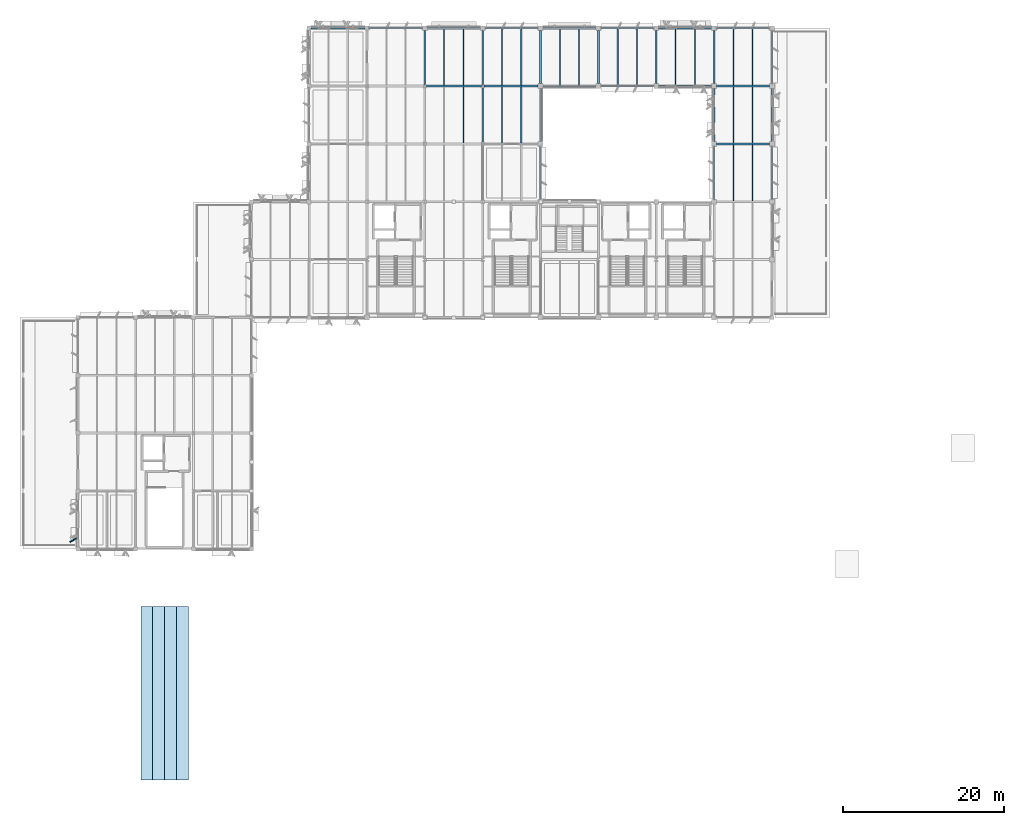
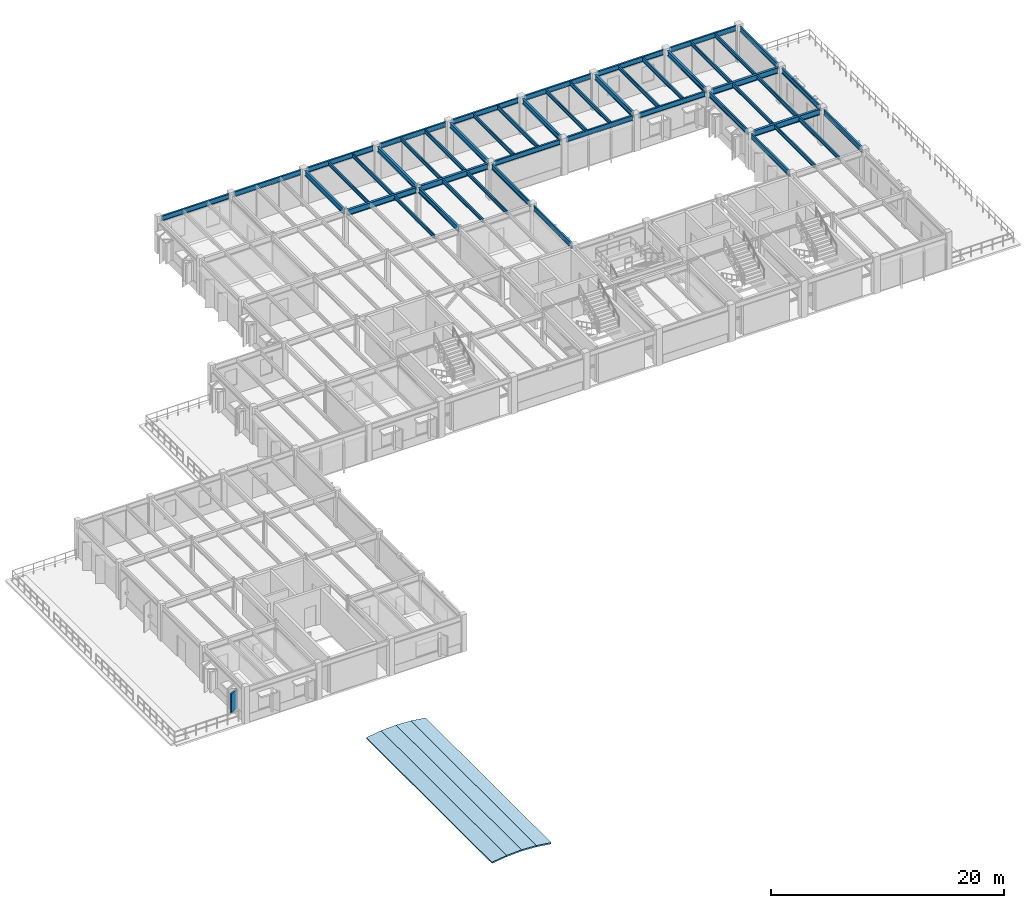
# One storey, part 7 of 35: 48 beams, 4 slabs, 1 plate.
"""IFC4 building model written with IfcOpenShell, lengths in metres."""

from ifc_helpers import new_model, si_unit, direction, frame, origin, origin_2d, place, context, subcontext, project, spatial, polyline, rectangle, i_section, outline, extrude, material, layer, layer_set, material_profile, profile_set, type_object, element, save


model = new_model("IFC4")

# Units and contexts
model_context = context("Model", 3, precision=1e-05, world=origin(), true_north=direction((0.0, 1.0)))
body_context = subcontext(model_context, "Body", "Model", "MODEL_VIEW")
ifc_project = project(units=[si_unit("LENGTHUNIT", "METRE"), si_unit("AREAUNIT", "SQUARE_METRE"), si_unit("VOLUMEUNIT", "CUBIC_METRE"), si_unit("PLANEANGLEUNIT", "RADIAN"), si_unit("MASSUNIT", "GRAM", prefix="KILO")], contexts=[model_context])

# Site, building, storey
site_placement = place(None, origin())
site = spatial("IfcSite", under=ifc_project, at=site_placement, CompositionType="ELEMENT")
building_placement = place(site_placement, origin())
building = spatial("IfcBuilding", under=site, at=building_placement, Name="Sillqori Civic Hall", CompositionType="ELEMENT")
storey_placement = place(building_placement, frame((0.0, 0.0, 18.0)))
storey = spatial("IfcBuildingStorey", under=building, at=storey_placement, Name="L05", CompositionType="ELEMENT", Elevation=18.0)

# Beams
ifc_material_1 = material(Name="Steel ASTM A992", Category="steel")
ifc_material_profile_1 = material_profile(ifc_material_1, i_section(OverallWidth=0.2099609375, OverallDepth=0.532958984375, WebThickness=0.01025390625, FlangeThickness=0.015625, FilletRadius=0.013916015625, at=origin_2d()), Name="W21X62")
ifc_profile_set_1 = profile_set([ifc_material_profile_1], Name="Steel ASTM A992")
beam_type_1 = type_object("IfcBeamType", Name="BM-W21X62", PredefinedType="BEAM", material=ifc_profile_set_1)
beam_1_placement = place(storey_placement, frame((57.60009765625, 108.177978515625, 3.45361328125), z_axis=(0.0, 1.0, 0.0), x_axis=(-1.0, 0.0, 0.0)))
element("IfcBeam", 1, at=beam_1_placement, inside=storey, type_object=beam_type_1, Name="L05 girder Y 8-15", PredefinedType="BEAM", context=body_context, shape_type="SweptSolid", body=[
    extrude(i_section(OverallWidth=0.2099609375, OverallDepth=0.532958984375, WebThickness=0.01025390625, FlangeThickness=0.015625, FilletRadius=0.013916015625, at=origin_2d()), origin(), (0.0, 0.0, 1.0), 6.72802734375),
])
beam_2_placement = place(storey_placement, frame((64.800048828125, 100.97802734375, 3.45361328125), z_axis=(0.0, 1.0, 0.0), x_axis=(-1.0, 0.0, 0.0)))
element("IfcBeam", 2, at=beam_2_placement, inside=storey, type_object=beam_type_1, Name="L05 girder Y 9-14", PredefinedType="BEAM", context=body_context, shape_type="SweptSolid", body=[
    extrude(i_section(OverallWidth=0.2099609375, OverallDepth=0.532958984375, WebThickness=0.01025390625, FlangeThickness=0.015625, FilletRadius=0.013916015625, at=origin_2d()), origin(), (0.0, 0.0, 1.0), 6.843994140625),
])
beam_3_placement = place(storey_placement, frame((64.800048828125, 108.177978515625, 3.45361328125), z_axis=(0.0, 1.0, 0.0), x_axis=(-1.0, 0.0, 0.0)))
element("IfcBeam", 3, at=beam_3_placement, inside=storey, type_object=beam_type_1, Name="L05 girder Y 9-15", PredefinedType="BEAM", context=body_context, shape_type="SweptSolid", body=[
    extrude(i_section(OverallWidth=0.2099609375, OverallDepth=0.532958984375, WebThickness=0.01025390625, FlangeThickness=0.015625, FilletRadius=0.013916015625, at=origin_2d()), origin(), (0.0, 0.0, 1.0), 6.72802734375),
])
for number, where, z_axis, x_axis, name in (
    (4, (72.0, 108.2939453125, 3.45361328125), (0.0, 1.0, 0.0), (-1.0, 0.0, 0.0), "L05 girder Y 10-15"),
    (5, (79.199951171875, 108.2939453125, 3.45361328125), (0.0, 1.0, 0.0), (-1.0, 0.0, 0.0), "L05 girder Y 11-15"),
    (6, (86.39990234375, 108.2939453125, 3.45361328125), (0.0, 1.0, 0.0), (-1.0, 0.0, 0.0), "L05 girder Y 12-15"),
    (7, (93.60009765625, 108.2939453125, 3.45361328125), (0.0, 1.0, 0.0), (-1.0, 0.0, 0.0), "L05 girder Y 13-15"),
):
    element("IfcBeam", number, at=place(storey_placement, frame(where, z_axis=z_axis, x_axis=x_axis)), inside=storey, type_object=beam_type_1, Name=name, PredefinedType="BEAM", context=body_context, shape_type="SweptSolid", body=[
        extrude(i_section(OverallWidth=0.2099609375, OverallDepth=0.532958984375, WebThickness=0.01025390625, FlangeThickness=0.015625, FilletRadius=0.013916015625, at=origin_2d()), origin(), (0.0, 0.0, 1.0), 6.612060546875),
    ])
ifc_material_profile_2 = material_profile(ifc_material_1, i_section(OverallWidth=0.22802734375, OverallDepth=0.60205078125, WebThickness=0.010498046875, FlangeThickness=0.014892578125, FilletRadius=0.014892578125, at=origin_2d()), Name="W24X68")
ifc_profile_set_2 = profile_set([ifc_material_profile_2], Name="Steel ASTM A992")
beam_type_2 = type_object("IfcBeamType", Name="BM-W24X68", PredefinedType="BEAM", material=ifc_profile_set_2)
beam_4_placement = place(storey_placement, frame((57.780517578125, 108.0, 3.4189453125), z_axis=(1.0, 0.0, 0.0), x_axis=(0.0, 1.0, 0.0)))
element("IfcBeam", 8, at=beam_4_placement, inside=storey, type_object=beam_type_2, Name="L05 girder X 8-15", PredefinedType="BEAM", context=body_context, shape_type="SweptSolid", body=[
    extrude(i_section(OverallWidth=0.22802734375, OverallDepth=0.60205078125, WebThickness=0.010498046875, FlangeThickness=0.014892578125, FilletRadius=0.014892578125, at=origin_2d()), origin(), (0.0, 0.0, 1.0), 6.8388671875),
])
beam_5_placement = place(storey_placement, frame((64.98046875, 108.0, 3.4189453125), z_axis=(1.0, 0.0, 0.0), x_axis=(0.0, 1.0, 0.0)))
element("IfcBeam", 9, at=beam_5_placement, inside=storey, type_object=beam_type_2, Name="L05 girder X 9-15", PredefinedType="BEAM", context=body_context, shape_type="SweptSolid", body=[
    extrude(i_section(OverallWidth=0.22802734375, OverallDepth=0.60205078125, WebThickness=0.010498046875, FlangeThickness=0.014892578125, FilletRadius=0.014892578125, at=origin_2d()), origin(), (0.0, 0.0, 1.0), 6.7255859375),
])
for number, where, z_axis, x_axis, name in (
    (10, (93.89404296875, 100.800048828125, 3.4189453125), (1.0, 0.0, 0.0), (0.0, 1.0, 0.0), "L05 girder X 13-14"),
    (11, (93.89404296875, 108.0, 3.4189453125), (1.0, 0.0, 0.0), (0.0, 1.0, 0.0), "L05 girder X 13-15"),
):
    element("IfcBeam", number, at=place(storey_placement, frame(where, z_axis=z_axis, x_axis=x_axis)), inside=storey, type_object=beam_type_2, Name=name, PredefinedType="BEAM", context=body_context, shape_type="SweptSolid", body=[
        extrude(i_section(OverallWidth=0.22802734375, OverallDepth=0.60205078125, WebThickness=0.010498046875, FlangeThickness=0.014892578125, FilletRadius=0.014892578125, at=origin_2d()), origin(), (0.0, 0.0, 1.0), 6.612060546875),
    ])
ifc_material_profile_3 = material_profile(ifc_material_1, i_section(OverallWidth=0.139892578125, OverallDepth=0.39892578125, WebThickness=0.00634765625, FlangeThickness=0.0087890625, FilletRadius=0.011962890625, at=origin_2d()), Name="W16X26")
ifc_profile_set_3 = profile_set([ifc_material_profile_3], Name="Steel ASTM A992")
beam_type_3 = type_object("IfcBeamType", Name="JS-W16X26", PredefinedType="JOIST", material=ifc_profile_set_3)
for number, where, z_axis, x_axis, name in (
    (12, (62.39990234375, 100.89501953125, 3.5205078125), (0.0, 1.0, 0.0), (-1.0, 0.0, 0.0), "L05 composite joist 8-14.2"),
    (13, (60.0, 108.094970703125, 3.5205078125), (0.0, 1.0, 0.0), (-1.0, 0.0, 0.0), "L05 composite joist 8-15.1"),
    (14, (62.39990234375, 108.094970703125, 3.5205078125), (0.0, 1.0, 0.0), (-1.0, 0.0, 0.0), "L05 composite joist 8-15.2"),
    (15, (67.199951171875, 100.89501953125, 3.5205078125), (0.0, 1.0, 0.0), (-1.0, 0.0, 0.0), "L05 composite joist 9-14.1"),
    (16, (69.60009765625, 100.89501953125, 3.5205078125), (0.0, 1.0, 0.0), (-1.0, 0.0, 0.0), "L05 composite joist 9-14.2"),
    (17, (67.199951171875, 108.094970703125, 3.5205078125), (0.0, 1.0, 0.0), (-1.0, 0.0, 0.0), "L05 composite joist 9-15.1"),
    (18, (69.60009765625, 108.094970703125, 3.5205078125), (0.0, 1.0, 0.0), (-1.0, 0.0, 0.0), "L05 composite joist 9-15.2"),
    (19, (74.39990234375, 108.094970703125, 3.5205078125), (0.0, 1.0, 0.0), (-1.0, 0.0, 0.0), "L05 composite joist 10-15.1"),
    (20, (76.800048828125, 108.094970703125, 3.5205078125), (0.0, 1.0, 0.0), (-1.0, 0.0, 0.0), "L05 composite joist 10-15.2"),
    (21, (81.60009765625, 108.094970703125, 3.5205078125), (0.0, 1.0, 0.0), (-1.0, 0.0, 0.0), "L05 composite joist 11-15.1"),
    (22, (84.0, 108.094970703125, 3.5205078125), (0.0, 1.0, 0.0), (-1.0, 0.0, 0.0), "L05 composite joist 11-15.2"),
    (23, (88.800048828125, 108.094970703125, 3.5205078125), (0.0, 1.0, 0.0), (-1.0, 0.0, 0.0), "L05 composite joist 12-15.1"),
    (24, (91.199951171875, 108.094970703125, 3.5205078125), (0.0, 1.0, 0.0), (-1.0, 0.0, 0.0), "L05 composite joist 12-15.2"),
    (25, (96.0, 93.695068359375, 3.5205078125), (0.0, 1.0, 0.0), (-1.0, 0.0, 0.0), "L05 composite joist 13-13.1"),
    (26, (98.39990234375, 93.695068359375, 3.5205078125), (0.0, 1.0, 0.0), (-1.0, 0.0, 0.0), "L05 composite joist 13-13.2"),
    (27, (96.0, 100.89501953125, 3.5205078125), (0.0, 1.0, 0.0), (-1.0, 0.0, 0.0), "L05 composite joist 13-14.1"),
    (28, (98.39990234375, 100.89501953125, 3.5205078125), (0.0, 1.0, 0.0), (-1.0, 0.0, 0.0), "L05 composite joist 13-14.2"),
    (29, (96.0, 108.094970703125, 3.5205078125), (0.0, 1.0, 0.0), (-1.0, 0.0, 0.0), "L05 composite joist 13-15.1"),
    (30, (98.39990234375, 108.094970703125, 3.5205078125), (0.0, 1.0, 0.0), (-1.0, 0.0, 0.0), "L05 composite joist 13-15.2"),
):
    element("IfcBeam", number, at=place(storey_placement, frame(where, z_axis=z_axis, x_axis=x_axis)), inside=storey, type_object=beam_type_3, Name=name, PredefinedType="JOIST", context=body_context, shape_type="SweptSolid", body=[
        extrude(i_section(OverallWidth=0.139892578125, OverallDepth=0.39892578125, WebThickness=0.00634765625, FlangeThickness=0.0087890625, FilletRadius=0.011962890625, at=origin_2d()), origin(), (0.0, 0.0, 1.0), 7.010009765625),
    ])
ifc_material_profile_4 = material_profile(ifc_material_1, i_section(OverallWidth=0.166015625, OverallDepth=0.528076171875, WebThickness=0.009765625, FlangeThickness=0.013671875, FilletRadius=0.013916015625, at=origin_2d()), Name="W21X50")
ifc_profile_set_4 = profile_set([ifc_material_profile_4], Name="Steel ASTM A992")
beam_type_4 = type_object("IfcBeamType", Name="SP-W21X50", PredefinedType="SPANDREL", material=ifc_profile_set_4)
beam_6_placement = place(storey_placement, frame((43.444091796875, 115.199951171875, 3.43603515625), z_axis=(1.0, 0.0, 0.0), x_axis=(0.0, 1.0, 0.0)))
element("IfcBeam", 31, at=beam_6_placement, inside=storey, type_object=beam_type_4, Name="L05 girder X 6-16", PredefinedType="SPANDREL", context=body_context, shape_type="SweptSolid", body=[
    extrude(i_section(OverallWidth=0.166015625, OverallDepth=0.528076171875, WebThickness=0.009765625, FlangeThickness=0.013671875, FilletRadius=0.013916015625, at=origin_2d()), origin(), (0.0, 0.0, 1.0), 6.7119140625),
])
beam_7_placement = place(storey_placement, frame((50.64404296875, 115.199951171875, 3.4560546875), z_axis=(1.0, 0.0, 0.0), x_axis=(0.0, 1.0, 0.0)))
element("IfcBeam", 32, at=beam_7_placement, inside=storey, type_object=beam_type_4, Name="L05 girder X 7-16", PredefinedType="SPANDREL", context=body_context, shape_type="SweptSolid", body=[
    extrude(i_section(OverallWidth=0.166015625, OverallDepth=0.528076171875, WebThickness=0.009765625, FlangeThickness=0.013671875, FilletRadius=0.013916015625, at=origin_2d()), origin(), (0.0, 0.0, 1.0), 6.661865234375),
])
for number, where, z_axis, x_axis, name in (
    (33, (57.89404296875, 115.199951171875, 3.4560546875), (1.0, 0.0, 0.0), (0.0, 1.0, 0.0), "L05 girder X 8-16"),
    (34, (65.093994140625, 115.199951171875, 3.4560546875), (1.0, 0.0, 0.0), (0.0, 1.0, 0.0), "L05 girder X 9-16"),
    (35, (72.2939453125, 108.0, 3.4560546875), (1.0, 0.0, 0.0), (0.0, 1.0, 0.0), "L05 girder X 10-15"),
    (36, (72.2939453125, 115.199951171875, 3.4560546875), (1.0, 0.0, 0.0), (0.0, 1.0, 0.0), "L05 girder X 10-16"),
    (37, (79.493896484375, 108.0, 3.4560546875), (1.0, 0.0, 0.0), (0.0, 1.0, 0.0), "L05 girder X 11-15"),
    (38, (79.493896484375, 115.199951171875, 3.4560546875), (1.0, 0.0, 0.0), (0.0, 1.0, 0.0), "L05 girder X 11-16"),
):
    element("IfcBeam", number, at=place(storey_placement, frame(where, z_axis=z_axis, x_axis=x_axis)), inside=storey, type_object=beam_type_4, Name=name, PredefinedType="SPANDREL", context=body_context, shape_type="SweptSolid", body=[
        extrude(i_section(OverallWidth=0.166015625, OverallDepth=0.528076171875, WebThickness=0.009765625, FlangeThickness=0.013671875, FilletRadius=0.013916015625, at=origin_2d()), origin(), (0.0, 0.0, 1.0), 6.612060546875),
    ])
for number, where, z_axis, x_axis, name in (
    (39, (86.694091796875, 108.0, 3.4560546875), (1.0, 0.0, 0.0), (0.0, 1.0, 0.0), "L05 girder X 12-15"),
    (40, (86.694091796875, 115.199951171875, 3.4560546875), (1.0, 0.0, 0.0), (0.0, 1.0, 0.0), "L05 girder X 12-16"),
):
    element("IfcBeam", number, at=place(storey_placement, frame(where, z_axis=z_axis, x_axis=x_axis)), inside=storey, type_object=beam_type_4, Name=name, PredefinedType="SPANDREL", context=body_context, shape_type="SweptSolid", body=[
        extrude(i_section(OverallWidth=0.166015625, OverallDepth=0.528076171875, WebThickness=0.009765625, FlangeThickness=0.013671875, FilletRadius=0.013916015625, at=origin_2d()), origin(), (0.0, 0.0, 1.0), 6.61181640625),
    ])
for number, where, z_axis, x_axis, name in (
    (41, (93.89404296875, 115.199951171875, 3.4560546875), (1.0, 0.0, 0.0), (0.0, 1.0, 0.0), "L05 girder X 13-16"),
    (42, (72.0, 93.89404296875, 3.4560546875), (0.0, 1.0, 0.0), (-1.0, 0.0, 0.0), "L05 girder Y 10-13"),
    (43, (72.0, 101.093994140625, 3.4560546875), (0.0, 1.0, 0.0), (-1.0, 0.0, 0.0), "L05 girder Y 10-14"),
    (44, (93.60009765625, 93.89404296875, 3.4560546875), (0.0, 1.0, 0.0), (-1.0, 0.0, 0.0), "L05 girder Y 13-13"),
    (45, (93.60009765625, 101.093994140625, 3.4560546875), (0.0, 1.0, 0.0), (-1.0, 0.0, 0.0), "L05 girder Y 13-14"),
    (46, (100.800048828125, 93.89404296875, 3.4560546875), (0.0, 1.0, 0.0), (-1.0, 0.0, 0.0), "L05 girder Y 14-13"),
    (47, (100.800048828125, 101.093994140625, 3.4560546875), (0.0, 1.0, 0.0), (-1.0, 0.0, 0.0), "L05 girder Y 14-14"),
    (48, (100.800048828125, 108.2939453125, 3.4560546875), (0.0, 1.0, 0.0), (-1.0, 0.0, 0.0), "L05 girder Y 14-15"),
):
    element("IfcBeam", number, at=place(storey_placement, frame(where, z_axis=z_axis, x_axis=x_axis)), inside=storey, type_object=beam_type_4, Name=name, PredefinedType="SPANDREL", context=body_context, shape_type="SweptSolid", body=[
        extrude(i_section(OverallWidth=0.166015625, OverallDepth=0.528076171875, WebThickness=0.009765625, FlangeThickness=0.013671875, FilletRadius=0.013916015625, at=origin_2d()), origin(), (0.0, 0.0, 1.0), 6.612060546875),
    ])

# Plate
ifc_material_2 = material(Name="Precast concrete C40/50 (H40)", Category="concrete")
ifc_layer_1 = layer(ifc_material_2, 0.159912109375)
ifc_layer_set_1 = layer_set([ifc_layer_1], Name="Precast concrete C40/50 (H40)")
plate_type = type_object("IfcPlateType", Name="REV-SAW-200", PredefinedType="USERDEFINED", material=ifc_layer_set_1)
plate_placement = place(storey_placement, frame((13.860107421875, 51.498046875, 0.800048828125), z_axis=(0.0, 0.0, 1.0), x_axis=(-0.5, 0.866025403784, 0.0)))
element("IfcPlate", 49, at=plate_placement, inside=storey, type_object=plate_type, Name="Sawtooth stone window reveal L05-02-07-W.1", ObjectType="REVEAL_PANEL", PredefinedType="USERDEFINED", context=body_context, shape_type="SweptSolid", body=[
    extrude(rectangle(XDim=0.159912109375, YDim=0.97998046875, at=origin_2d()), origin(), (0.0, 0.0, 1.0), 2.0),
])

# Slabs
ifc_material_3 = material(Name="Concrete C35/45 (H35)", Category="concrete")
ifc_layer_2 = layer(ifc_material_3, 0.139892578125)
ifc_layer_set_2 = layer_set([ifc_layer_2], Name="Concrete C35/45 (H35)")
slab_type = type_object("IfcSlabType", Name="SLB-VAULT-140", PredefinedType="ROOF", material=ifc_layer_set_2)
slab_1_placement = place(storey_placement, frame((22.25244140625, 21.60009765625, 0.02587890625), z_axis=(-0.138722173744, 0.0, 0.990331337741), x_axis=(0.990331337741, 0.0, 0.138722173744)))
element("IfcSlab", 50, at=slab_1_placement, inside=storey, type_object=slab_type, Name="Council Chamber barrel-vault shell chord 07", PredefinedType="ROOF", context=body_context, shape_type="SweptSolid", body=[
    extrude(outline(polyline([(0.0, 0.0), (1.481856870471967, 0.0), (1.481856870471967, 21.599853515625), (0.0, 21.599853515625), (0.0, 0.0)])), origin(), (0.0, 0.0, -1.0), 0.139892578125),
])
slab_2_placement = place(storey_placement, frame((23.719970703125, 21.60009765625, 0.2314453125), z_axis=(-0.04630461726, 0.0, 0.998927365938), x_axis=(0.998927365938, 0.0, 0.04630461726)))
element("IfcSlab", 51, at=slab_2_placement, inside=storey, type_object=slab_type, Name="Council Chamber barrel-vault shell chord 08", PredefinedType="ROOF", context=body_context, shape_type="SweptSolid", body=[
    extrude(outline(polyline([(0.0, 0.0), (1.4815696508222553, 0.0), (1.4815696508222553, 21.599853515625), (0.0, 21.599853515625), (0.0, 0.0)])), origin(), (0.0, 0.0, -1.0), 0.139892578125),
])
slab_3_placement = place(storey_placement, frame((25.199951171875, 21.60009765625, 0.300048828125), z_axis=(0.046296996386, 0.0, 0.99892771917), x_axis=(0.99892771917, 0.0, -0.046296996386)))
element("IfcSlab", 52, at=slab_3_placement, inside=storey, type_object=slab_type, Name="Council Chamber barrel-vault shell chord 09", PredefinedType="ROOF", context=body_context, shape_type="SweptSolid", body=[
    extrude(outline(polyline([(0.0, 0.0), (1.4818135296168278, 0.0), (1.4818135296168278, 21.599853515625), (0.0, 21.599853515625), (0.0, 0.0)])), origin(), (0.0, 0.0, -1.0), 0.139892578125),
])
slab_4_placement = place(storey_placement, frame((26.68017578125, 21.60009765625, 0.2314453125), z_axis=(0.138744811344, 0.0, 0.990328166481), x_axis=(0.990328166481, 0.0, -0.138744811344)))
element("IfcSlab", 53, at=slab_4_placement, inside=storey, type_object=slab_type, Name="Council Chamber barrel-vault shell chord 10", PredefinedType="ROOF", context=body_context, shape_type="SweptSolid", body=[
    extrude(outline(polyline([(0.0, 0.0), (1.481615090747299, 0.0), (1.481615090747299, 21.599853515625), (0.0, 21.599853515625), (0.0, 0.0)])), origin(), (0.0, 0.0, -1.0), 0.139892578125),
])

save(model, "model.ifc")
